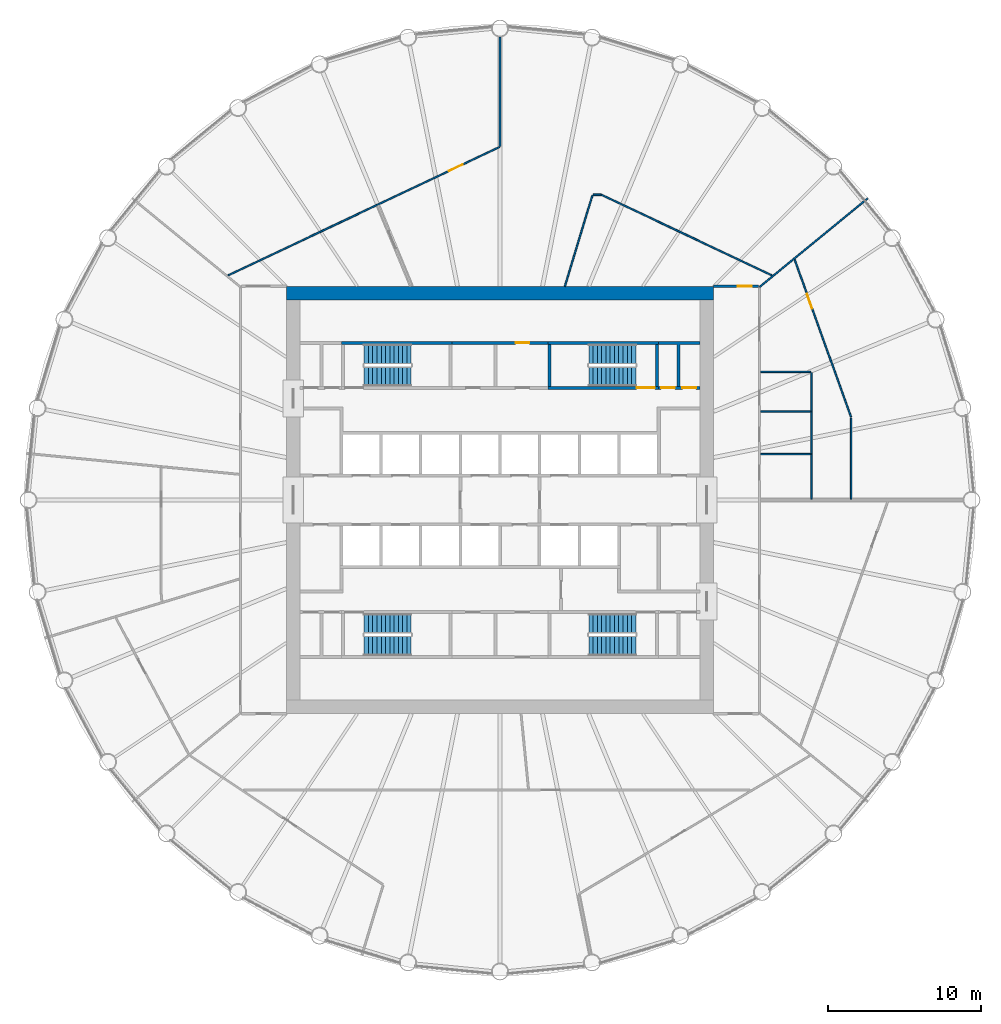
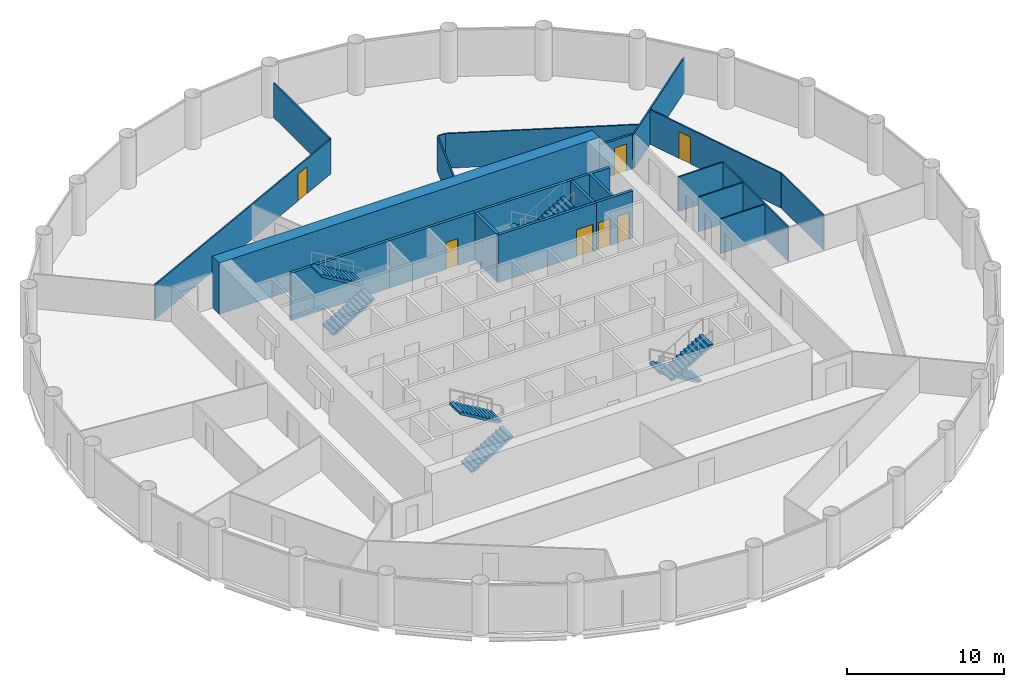
# One storey, part 7 of 8: 22 walls, 8 stair flights, 7 doors, 7 openings, 4 elements without a shape of their own.
"""IFC4 building model written with IfcOpenShell, lengths in metres."""

from ifc_helpers import new_model, si_unit, direction, frame, frame_2d, origin, place, context, subcontext, project, spatial, polyline, rectangle, outline, extrude, material, layer, layer_set, type_object, element, fill, aggregate, save


model = new_model("IFC4")

# Units and contexts
model_context = context("Model", 3, precision=1e-05, world=origin(), true_north=direction((0.0, 1.0)))
body_context = subcontext(model_context, "Body", "Model", "MODEL_VIEW")
ifc_project = project(units=[si_unit("LENGTHUNIT", "METRE"), si_unit("AREAUNIT", "SQUARE_METRE"), si_unit("VOLUMEUNIT", "CUBIC_METRE"), si_unit("PLANEANGLEUNIT", "RADIAN"), si_unit("MASSUNIT", "GRAM", prefix="KILO")], contexts=[model_context])

# Site, building, storey
site_placement = place(None, origin())
site = spatial("IfcSite", under=ifc_project, at=site_placement, CompositionType="ELEMENT")
building_placement = place(site_placement, origin())
building = spatial("IfcBuilding", under=site, at=building_placement, Name="Corvane Civic Tower", CompositionType="ELEMENT")
storey_placement = place(building_placement, frame((0.0, 0.0, 152.0)))
storey = spatial("IfcBuildingStorey", under=building, at=storey_placement, Name="L35", CompositionType="ELEMENT", Elevation=152.0)

# Wall
ifc_material_1 = material(Name="Concrete C60/75", Category="concrete")
ifc_layer_1 = layer(ifc_material_1, 0.89990234375)
ifc_layer_set_1 = layer_set([ifc_layer_1], Name="Concrete C60/75")
wall_type_1 = type_object("IfcWallType", Name="CORE WALL 900 C60/75", PredefinedType="SHEAR", material=ifc_layer_set_1)
wall_1_placement = place(storey_placement, frame((-14.0, 13.550048828125, 0.0), z_axis=(0.0, 0.0, 1.0), x_axis=(1.0, 0.0, 0.0)))
element("IfcWall", 1, at=wall_1_placement, inside=storey, type_object=wall_type_1, Name="W-L35-core-N", PredefinedType="SHEAR", context=body_context, shape_type="SweptSolid", body=[
    extrude(rectangle(XDim=28.0, YDim=0.89990234375, at=frame_2d((14.0, 0.0))), origin(), (0.0, 0.0, 1.0), 4.0),
])

# Wall, openings, doors
ifc_material_2 = material(Name="Concrete C30/37", Category="concrete")
ifc_layer_2 = layer(ifc_material_2, 0.199951171875)
ifc_layer_set_2 = layer_set([ifc_layer_2], Name="Concrete C30/37")
wall_type_2 = type_object("IfcWallType", Name="CR-WALL-200", PredefinedType="PARTITIONING", material=ifc_layer_set_2)
wall_2_placement = place(storey_placement, frame((10.39990234375, 7.35009765625, 0.0), z_axis=(0.0, 0.0, 1.0), x_axis=(1.0, 0.0, 0.0)))
wall_2 = element("IfcWall", 2, at=wall_2_placement, inside=storey, type_object=wall_type_2, Name="L35 core partition wall", PredefinedType="PARTITIONING", context=body_context, shape_type="SweptSolid", body=[
    extrude(rectangle(XDim=2.7001953125, YDim=0.199951171875, at=frame_2d((1.35009765625, 0.0))), origin(), (0.0, 0.0, 1.0), 3.699951171875),
])
opening_1_placement = place(wall_2_placement, frame((0.14990234375, 0.0, 0.0)))
opening_1 = element("IfcOpeningElement", 3, at=opening_1_placement, cuts=wall_2, Name="Opening L35.C17", PredefinedType="OPENING", context=body_context, shape_type="SweptSolid", body=[
    extrude(rectangle(XDim=0.89990234375, YDim=2.10009765625, at=frame_2d((0.449951171875, 1.050048828125))), frame((0.0, 0.10986328125, 0.0), z_axis=(0.0, -1.0, 0.0), x_axis=(1.0, 0.0, 0.0)), (0.0, 0.0, 1.0), 0.219970703125),
])
opening_2_placement = place(wall_2_placement, frame((1.550048828125, 0.0, 0.0)))
opening_2 = element("IfcOpeningElement", 4, at=opening_2_placement, cuts=wall_2, Name="Opening L35.C18", PredefinedType="OPENING", context=body_context, shape_type="SweptSolid", body=[
    extrude(rectangle(XDim=0.89990234375, YDim=2.10009765625, at=frame_2d((0.449951171875, 1.050048828125))), frame((0.0, 0.10986328125, 0.0), z_axis=(0.0, -1.0, 0.0), x_axis=(1.0, 0.0, 0.0)), (0.0, 0.0, 1.0), 0.219970703125),
])
ifc_material_3 = material(Name="Steel fire door leaf", Category="steel")
door_type_1 = type_object("IfcDoorType", Name="CR-DOOR-900", OperationType="SINGLE_SWING_LEFT", PredefinedType="DOOR", material=ifc_material_3)
door_1_placement = place(opening_1_placement, origin())
door_1 = element("IfcDoor", 5, at=door_1_placement, inside=storey, type_object=door_type_1, Name="L35 door", OperationType="SINGLE_SWING_LEFT", OverallHeight=2.10009765625, OverallWidth=0.89990234375, PredefinedType="DOOR", context=body_context, shape_type="SweptSolid", body=[
    extrude(rectangle(XDim=0.89990234375, YDim=2.10009765625, at=frame_2d((0.449951171875, 1.050048828125))), frame((0.0, 0.02490234375, 0.0), z_axis=(0.0, -1.0, 0.0), x_axis=(1.0, 0.0, 0.0)), (0.0, 0.0, 1.0), 0.050048828125),
])
fill(opening_1, door_1)
door_2_placement = place(opening_2_placement, origin())
door_2 = element("IfcDoor", 6, at=door_2_placement, inside=storey, type_object=door_type_1, Name="L35 door", OperationType="SINGLE_SWING_LEFT", OverallHeight=2.10009765625, OverallWidth=0.89990234375, PredefinedType="DOOR", context=body_context, shape_type="SweptSolid", body=[
    extrude(rectangle(XDim=0.89990234375, YDim=2.10009765625, at=frame_2d((0.449951171875, 1.050048828125))), frame((0.0, 0.02490234375, 0.0), z_axis=(0.0, -1.0, 0.0), x_axis=(1.0, 0.0, 0.0)), (0.0, 0.0, 1.0), 0.050048828125),
])
fill(opening_2, door_2)

# Wall, opening, door
wall_3_placement = place(storey_placement, frame((-3.14990234375, 10.300048828125, 0.0), z_axis=(0.0, 0.0, 1.0), x_axis=(1.0, 0.0, 0.0)))
wall_3 = element("IfcWall", 7, at=wall_3_placement, inside=storey, type_object=wall_type_2, Name="L35 partition wall", PredefinedType="PARTITIONING", context=body_context, shape_type="SweptSolid", body=[
    extrude(rectangle(XDim=6.2998046875, YDim=0.199951171875, at=frame_2d((3.14990234375, 0.0))), origin(), (0.0, 0.0, 1.0), 3.699951171875),
])
opening_3_placement = place(wall_3_placement, frame((4.175048828125, 0.0, 0.0)))
opening_3 = element("IfcOpeningElement", 8, at=opening_3_placement, cuts=wall_3, Name="Opening L35.C11", PredefinedType="OPENING", context=body_context, shape_type="SweptSolid", body=[
    extrude(rectangle(XDim=0.89990234375, YDim=2.10009765625, at=frame_2d((0.449951171875, 1.050048828125))), frame((0.0, 0.10986328125, 0.0), z_axis=(0.0, -1.0, 0.0), x_axis=(1.0, 0.0, 0.0)), (0.0, 0.0, 1.0), 0.219970703125),
])
door_3_placement = place(opening_3_placement, origin())
door_3 = element("IfcDoor", 9, at=door_3_placement, inside=storey, type_object=door_type_1, Name="L35 door", OperationType="SINGLE_SWING_LEFT", OverallHeight=2.10009765625, OverallWidth=0.89990234375, PredefinedType="DOOR", context=body_context, shape_type="SweptSolid", body=[
    extrude(rectangle(XDim=0.89990234375, YDim=2.10009765625, at=frame_2d((0.449951171875, 1.050048828125))), frame((0.0, 0.02490234375, 0.0), z_axis=(0.0, -1.0, 0.0), x_axis=(1.0, 0.0, 0.0)), (0.0, 0.0, 1.0), 0.050048828125),
])
fill(opening_3, door_3)

# Walls
wall_4_placement = place(storey_placement, origin())
element("IfcWall", 10, at=wall_4_placement, inside=storey, type_object=wall_type_2, Name="L35 core partition wall", PredefinedType="PARTITIONING", context=body_context, shape_type="SweptSolid", body=[
    extrude(outline(polyline([(13.10009765625, 10.39990234375), (13.10009765625, 10.199951171875), (11.800048828125, 10.199951171875), (11.800048828125, 7.449951171875), (11.60009765625, 7.449951171875), (11.60009765625, 10.199951171875), (10.39990234375, 10.199951171875), (10.39990234375, 10.39990234375), (13.10009765625, 10.39990234375)])), origin(), (0.0, 0.0, 1.0), 3.699951171875),
])
ifc_material_4 = material(Name="Plasterboard")
ifc_layer_3 = layer(ifc_material_4, 0.10009765625)
ifc_layer_set_3 = layer_set([ifc_layer_3], Name="Plasterboard")
wall_type_3 = type_object("IfcWallType", Name="Partition 100 plasterboard on studs", PredefinedType="PARTITIONING", material=ifc_layer_set_3)
wall_5_placement = place(storey_placement, frame((20.39990234375, 0.050048828125, 0.0), z_axis=(0.0, 0.0, 1.0), x_axis=(0.0, 1.0, 0.0)))
element("IfcWall", 11, at=wall_5_placement, inside=storey, type_object=wall_type_3, Name="Partition L35.019", PredefinedType="PARTITIONING", context=body_context, shape_type="SweptSolid", body=[
    extrude(rectangle(XDim=8.300048828125, YDim=0.10009765625, at=frame_2d((4.14990234375, 0.0))), origin(), (0.0, 0.0, 1.0), 2.699951171875),
])
wall_6_placement = place(storey_placement, frame((23.0, 0.050048828125, 0.0), z_axis=(0.0, 0.0, 1.0), x_axis=(0.0, 1.0, 0.0)))
element("IfcWall", 12, at=wall_6_placement, inside=storey, type_object=wall_type_3, Name="Partition L35.020", PredefinedType="PARTITIONING", context=body_context, shape_type="SweptSolid", body=[
    extrude(rectangle(XDim=5.30712890625, YDim=0.10009765625, at=frame_2d((2.653564453125, 0.0))), origin(), (0.0, 0.0, 1.0), 2.699951171875),
])
wall_7_placement = place(storey_placement, frame((17.074951171875, 3.0, 0.0), z_axis=(0.0, 0.0, 1.0), x_axis=(1.0, 0.0, 0.0)))
element("IfcWall", 13, at=wall_7_placement, inside=storey, type_object=wall_type_3, Name="Partition L35.022", PredefinedType="PARTITIONING", context=body_context, shape_type="SweptSolid", body=[
    extrude(rectangle(XDim=3.275146484375, YDim=0.10009765625, at=frame_2d((1.6376953125, 0.0))), origin(), (0.0, 0.0, 1.0), 2.699951171875),
])

# Wall, opening, door
wall_8_placement = place(storey_placement, frame((19.304931640625, 15.756591796875, 0.0), z_axis=(0.0, 0.0, 1.0), x_axis=(0.336896220681, -0.941541786906, 0.0)))
wall_8 = element("IfcWall", 14, at=wall_8_placement, inside=storey, type_object=wall_type_3, Name="Partition L35.023", PredefinedType="PARTITIONING", context=body_context, shape_type="SweptSolid", body=[
    extrude(rectangle(XDim=10.966552734375, YDim=0.10009765625, at=frame_2d((5.4833984375, 0.0))), origin(), (0.0, 0.0, 1.0), 2.699951171875),
])
opening_4_placement = place(wall_8_placement, frame((2.39990234375, 0.0, 0.0)))
opening_4 = element("IfcOpeningElement", 15, at=opening_4_placement, cuts=wall_8, Name="Opening L35.010", PredefinedType="OPENING", context=body_context, shape_type="SweptSolid", body=[
    extrude(rectangle(XDim=1.0, YDim=2.10009765625, at=frame_2d((0.5, 1.050048828125))), frame((0.0, 0.06005859375, 0.0), z_axis=(0.0, -1.0, 0.0), x_axis=(1.0, 0.0, 0.0)), (0.0, 0.0, 1.0), 0.1201171875),
])
ifc_material_5 = material(Name="Timber", Category="wood")
door_type_2 = type_object("IfcDoorType", Name="Single door 1000", OperationType="NOTDEFINED", PredefinedType="DOOR", material=ifc_material_5)
door_4_placement = place(opening_4_placement, origin())
door_4 = element("IfcDoor", 16, at=door_4_placement, inside=storey, type_object=door_type_2, Name="Door L35.010", OperationType="SINGLE_SWING_LEFT", OverallHeight=2.10009765625, OverallWidth=1.0, PredefinedType="DOOR", context=body_context, shape_type="SweptSolid", body=[
    extrude(rectangle(XDim=1.0, YDim=2.10009765625, at=frame_2d((0.5, 1.050048828125))), frame((0.0, 0.02490234375, 0.0), z_axis=(0.0, -1.0, 0.0), x_axis=(1.0, 0.0, 0.0)), (0.0, 0.0, 1.0), 0.050048828125),
])
fill(opening_4, door_4)

# Walls
for number, where, z_axis, x_axis, name in (
    (17, (17.074951171875, 5.800048828125, 0.0), (0.0, 0.0, 1.0), (1.0, 0.0, 0.0), "Partition L35.024"),
    (18, (17.074951171875, 8.39990234375, 0.0), (0.0, 0.0, 1.0), (1.0, 0.0, 0.0), "Partition L35.025"),
):
    element("IfcWall", number, at=place(storey_placement, frame(where, z_axis=z_axis, x_axis=x_axis)), inside=storey, type_object=wall_type_3, Name=name, PredefinedType="PARTITIONING", context=body_context, shape_type="SweptSolid", body=[
        extrude(rectangle(XDim=3.275146484375, YDim=0.10009765625, at=frame_2d((1.6376953125, 0.0))), origin(), (0.0, 0.0, 1.0), 2.699951171875),
    ])
wall_9_placement = place(storey_placement, frame((17.018310546875, 13.966552734375, 0.0), z_axis=(0.0, 0.0, 1.0), x_axis=(0.773006154143, 0.634398522742, 0.0)))
element("IfcWall", 19, at=wall_9_placement, inside=storey, type_object=wall_type_3, Name="Partition L35.027", PredefinedType="PARTITIONING", context=body_context, shape_type="SweptSolid", body=[
    extrude(rectangle(XDim=9.134521484375, YDim=0.10009765625, at=frame_2d((4.5673828125, 0.0))), origin(), (0.0, 0.0, 1.0), 2.699951171875),
])
wall_10_placement = place(storey_placement, frame((4.246826171875, 14.0, 0.0), z_axis=(0.0, 0.0, 1.0), x_axis=(0.290282423734, 0.956941019327, 0.0)))
element("IfcWall", 20, at=wall_10_placement, inside=storey, type_object=wall_type_3, Name="Partition L35.030", PredefinedType="PARTITIONING", context=body_context, shape_type="SweptSolid", body=[
    extrude(rectangle(XDim=6.23291015625, YDim=0.10009765625, at=frame_2d((3.116455078125, 0.0))), origin(), (0.0, 0.0, 1.0), 2.699951171875),
])

# Wall, opening, door
wall_11_placement = place(storey_placement, frame((-17.81640625, 14.714111328125, 0.0), z_axis=(0.0, 0.0, 1.0), x_axis=(0.903992844698, 0.427547584176, 0.0)))
wall_11 = element("IfcWall", 21, at=wall_11_placement, inside=storey, type_object=wall_type_3, Name="Partition L35.032", PredefinedType="PARTITIONING", context=body_context, shape_type="SweptSolid", body=[
    extrude(rectangle(XDim=19.677001953125, YDim=0.10009765625, at=frame_2d((9.83837890625, 0.0))), origin(), (0.0, 0.0, 1.0), 2.699951171875),
])
opening_5_placement = place(wall_11_placement, frame((16.003662109375, 0.0, 0.0)))
opening_5 = element("IfcOpeningElement", 22, at=opening_5_placement, cuts=wall_11, Name="Opening L35.001", PredefinedType="OPENING", context=body_context, shape_type="SweptSolid", body=[
    extrude(rectangle(XDim=1.0, YDim=2.10009765625, at=frame_2d((0.5, 1.050048828125))), frame((0.0, 0.06005859375, 0.0), z_axis=(0.0, -1.0, 0.0), x_axis=(1.0, 0.0, 0.0)), (0.0, 0.0, 1.0), 0.1201171875),
])
door_5_placement = place(opening_5_placement, origin())
door_5 = element("IfcDoor", 23, at=door_5_placement, inside=storey, type_object=door_type_2, Name="Door L35.001", OperationType="SINGLE_SWING_LEFT", OverallHeight=2.10009765625, OverallWidth=1.0, PredefinedType="DOOR", context=body_context, shape_type="SweptSolid", body=[
    extrude(rectangle(XDim=1.0, YDim=2.10009765625, at=frame_2d((0.5, 1.050048828125))), frame((0.0, 0.02490234375, 0.0), z_axis=(0.0, -1.0, 0.0), x_axis=(1.0, 0.0, 0.0)), (0.0, 0.0, 1.0), 0.050048828125),
])
fill(opening_5, door_5)

# Walls
wall_12_placement = place(storey_placement, frame((6.650390625, 19.9951171875, 0.0), z_axis=(0.0, 0.0, 1.0), x_axis=(0.903993242608, -0.427546742847, 0.0)))
element("IfcWall", 24, at=wall_12_placement, inside=storey, type_object=wall_type_3, Name="Partition L35.033", PredefinedType="PARTITIONING", context=body_context, shape_type="SweptSolid", body=[
    extrude(rectangle(XDim=12.351806640625, YDim=0.10009765625, at=frame_2d((6.17578125, 0.0))), origin(), (0.0, 0.0, 1.0), 2.699951171875),
])
wall_13_placement = place(storey_placement, frame((6.10400390625, 20.0, 0.0), z_axis=(0.0, 0.0, 1.0), x_axis=(1.0, 0.0, 0.0)))
element("IfcWall", 25, at=wall_13_placement, inside=storey, type_object=wall_type_3, Name="Partition L35.034", PredefinedType="PARTITIONING", context=body_context, shape_type="SweptSolid", body=[
    extrude(rectangle(XDim=0.52490234375, YDim=0.10009765625, at=frame_2d((0.262451171875, 0.0))), origin(), (0.0, 0.0, 1.0), 2.699951171875),
])
wall_14_placement = place(storey_placement, frame((0.0, 23.172119140625, 0.0), z_axis=(0.0, 0.0, 1.0), x_axis=(0.0, 1.0, 0.0)))
element("IfcWall", 26, at=wall_14_placement, inside=storey, type_object=wall_type_3, Name="Partition L35.035", PredefinedType="PARTITIONING", context=body_context, shape_type="SweptSolid", body=[
    extrude(rectangle(XDim=7.167724609375, YDim=0.10009765625, at=frame_2d((3.583984375, 0.0))), origin(), (0.0, 0.0, 1.0), 2.699951171875),
])

# Wall, opening, door
ifc_material_6 = material(Name="Concrete C50/60", Category="concrete")
ifc_layer_4 = layer(ifc_material_6, 0.199951171875)
ifc_layer_set_4 = layer_set([ifc_layer_4], Name="Concrete C50/60")
wall_type_4 = type_object("IfcWallType", Name="ST-WALL-200", PredefinedType="SHEAR", material=ifc_layer_set_4)
wall_15_placement = place(storey_placement, frame((3.14990234375, 7.35009765625, 0.0), z_axis=(0.0, 0.0, 1.0), x_axis=(1.0, 0.0, 0.0)))
wall_15 = element("IfcWall", 27, at=wall_15_placement, inside=storey, type_object=wall_type_4, Name="L35 stair enclosure wall", PredefinedType="SHEAR", context=body_context, shape_type="SweptSolid", body=[
    extrude(rectangle(XDim=7.25, YDim=0.199951171875, at=frame_2d((3.625, 0.0))), origin(), (0.0, 0.0, 1.0), 3.699951171875),
])
opening_6_placement = place(wall_15_placement, frame((5.800048828125, 0.0, 0.0)))
opening_6 = element("IfcOpeningElement", 28, at=opening_6_placement, cuts=wall_15, Name="Opening L35.C21", PredefinedType="OPENING", context=body_context, shape_type="SweptSolid", body=[
    extrude(rectangle(XDim=1.199951171875, YDim=2.10009765625, at=frame_2d((0.60009765625, 1.050048828125))), frame((0.0, 0.10986328125, 0.0), z_axis=(0.0, -1.0, 0.0), x_axis=(1.0, 0.0, 0.0)), (0.0, 0.0, 1.0), 0.219970703125),
])
ifc_material_7 = material(Name="Steel fire door leaf", Category="steel")
door_type_3 = type_object("IfcDoorType", Name="ST-DOOR-1200", OperationType="SINGLE_SWING_RIGHT", PredefinedType="DOOR", material=ifc_material_7)
door_6_placement = place(opening_6_placement, origin())
door_6 = element("IfcDoor", 29, at=door_6_placement, inside=storey, type_object=door_type_3, Name="L35 stair door", OperationType="SINGLE_SWING_RIGHT", OverallHeight=2.10009765625, OverallWidth=1.199951171875, PredefinedType="DOOR", context=body_context, shape_type="SweptSolid", body=[
    extrude(rectangle(XDim=1.199951171875, YDim=2.10009765625, at=frame_2d((0.60009765625, 1.050048828125))), frame((0.0, 0.02490234375, 0.0), z_axis=(0.0, -1.0, 0.0), x_axis=(1.0, 0.0, 0.0)), (0.0, 0.0, 1.0), 0.050048828125),
])
fill(opening_6, door_6)

# Walls
wall_16_placement = place(storey_placement, origin())
element("IfcWall", 30, at=wall_16_placement, inside=storey, type_object=wall_type_4, Name="L35 stair enclosure wall", PredefinedType="SHEAR", context=body_context, shape_type="SweptSolid", body=[
    extrude(outline(polyline([(-3.14990234375, 10.199951171875), (-10.39990234375, 10.199951171875), (-10.39990234375, 10.39990234375), (-3.14990234375, 10.39990234375), (-3.14990234375, 10.199951171875)])), origin(), (0.0, 0.0, 1.0), 3.699951171875),
])
wall_17_placement = place(storey_placement, origin())
element("IfcWall", 31, at=wall_17_placement, inside=storey, type_object=wall_type_4, Name="L35 stair enclosure wall", PredefinedType="SHEAR", context=body_context, shape_type="SweptSolid", body=[
    extrude(outline(polyline([(10.39990234375, 10.199951171875), (3.14990234375, 10.199951171875), (3.14990234375, 10.39990234375), (10.39990234375, 10.39990234375), (10.39990234375, 10.199951171875)])), origin(), (0.0, 0.0, 1.0), 3.699951171875),
])
wall_18_placement = place(storey_placement, origin())
element("IfcWall", 32, at=wall_18_placement, inside=storey, type_object=wall_type_4, Name="L35 stair enclosure wall", PredefinedType="SHEAR", context=body_context, shape_type="SweptSolid", body=[
    extrude(outline(polyline([(3.35009765625, 7.449951171875), (3.14990234375, 7.449951171875), (3.14990234375, 10.199951171875), (3.35009765625, 10.199951171875), (3.35009765625, 7.449951171875)])), origin(), (0.0, 0.0, 1.0), 3.699951171875),
])
wall_19_placement = place(storey_placement, origin())
element("IfcWall", 33, at=wall_19_placement, inside=storey, type_object=wall_type_4, Name="L35 stair enclosure wall", PredefinedType="SHEAR", context=body_context, shape_type="SweptSolid", body=[
    extrude(outline(polyline([(10.39990234375, 7.449951171875), (10.199951171875, 7.449951171875), (10.199951171875, 10.199951171875), (10.39990234375, 10.199951171875), (10.39990234375, 7.449951171875)])), origin(), (0.0, 0.0, 1.0), 3.699951171875),
])

# Wall, opening, door
ifc_material_8 = material(Name="Plasterboard")
ifc_layer_5 = layer(ifc_material_8, 0.14990234375)
ifc_layer_set_5 = layer_set([ifc_layer_5], Name="Plasterboard")
wall_type_5 = type_object("IfcWallType", Name="Tenancy wall 150 EI 60", PredefinedType="PARTITIONING", material=ifc_layer_set_5)
wall_20_placement = place(storey_placement, frame((13.989990234375, 14.0, 0.0), z_axis=(0.0, 0.0, 1.0), x_axis=(1.0, 0.0, 0.0)))
wall_20 = element("IfcWall", 34, at=wall_20_placement, inside=storey, type_object=wall_type_5, Name="Partition L35.031", PredefinedType="PARTITIONING", context=body_context, shape_type="SweptSolid", body=[
    extrude(rectangle(XDim=2.93505859375, YDim=0.14990234375, at=frame_2d((1.467529296875, 0.0))), origin(), (0.0, 0.0, 1.0), 2.699951171875),
])
opening_7_placement = place(wall_20_placement, frame((1.593994140625, 0.0, 0.0)))
opening_7 = element("IfcOpeningElement", 35, at=opening_7_placement, cuts=wall_20, Name="Opening L35.004", PredefinedType="OPENING", context=body_context, shape_type="SweptSolid", body=[
    extrude(rectangle(XDim=0.89990234375, YDim=2.10009765625, at=frame_2d((0.449951171875, 1.050048828125))), frame((0.0, 0.0849609375, 0.0), z_axis=(0.0, -1.0, 0.0), x_axis=(1.0, 0.0, 0.0)), (0.0, 0.0, 1.0), 0.169921875),
])
ifc_material_9 = material(Name="Steel and timber", Category="steel")
door_type_4 = type_object("IfcDoorType", Name="Fire door FD30S 900", OperationType="NOTDEFINED", PredefinedType="DOOR", material=ifc_material_9)
door_7_placement = place(opening_7_placement, origin())
door_7 = element("IfcDoor", 36, at=door_7_placement, inside=storey, type_object=door_type_4, Name="Door L35.004", OperationType="SINGLE_SWING_LEFT", OverallHeight=2.10009765625, OverallWidth=0.89990234375, PredefinedType="DOOR", context=body_context, shape_type="SweptSolid", body=[
    extrude(rectangle(XDim=0.89990234375, YDim=2.10009765625, at=frame_2d((0.449951171875, 1.050048828125))), frame((0.0, 0.02490234375, 0.0), z_axis=(0.0, -1.0, 0.0), x_axis=(1.0, 0.0, 0.0)), (0.0, 0.0, 1.0), 0.050048828125),
])
fill(opening_7, door_7)

# Stair, stair flights
ifc_material_10 = material(Name="Concrete C40/50", Category="concrete")
stair_type = type_object("IfcStairType", Name="ST-STAIR-HALFTURN", PredefinedType="HALF_TURN_STAIR", material=ifc_material_10)
stair_1_placement = place(storey_placement, origin())
stair_1 = element("IfcStair", 37, at=stair_1_placement, inside=storey, type_object=stair_type, Name="L35 Exit stair ST1", PredefinedType="HALF_TURN_STAIR")
ifc_material_11 = material(Name="Concrete C40/50", Category="concrete")
stair_flight_type = type_object("IfcStairFlightType", Name="ST-FLIGHT-RC", PredefinedType="STRAIGHT", material=ifc_material_11)
stair_flight_1_placement = place(storey_placement, frame((8.89990234375, 9.550048828125, 0.0), z_axis=(0.0, 0.0, 1.0), x_axis=(-1.0, 0.0, 0.0)))
stair_flight_1 = element("IfcStairFlight", 38, at=stair_flight_1_placement, type_object=stair_flight_type, Name="ST1 flight 1", NumberOfRisers=12, NumberOfTreads=11, PredefinedType="STRAIGHT", RiserHeight=0.166666667, TreadLength=0.28, context=body_context, shape_type="SweptSolid", body=[
    extrude(outline(polyline([(0.0, 0.0), (0.0, 0.166748046875), (0.280029296875, 0.166748046875), (0.280029296875, 0.333251953125), (0.56005859375, 0.333251953125), (0.56005859375, 0.5), (0.840087890625, 0.5), (0.840087890625, 0.666748046875), (1.1201171875, 0.666748046875), (1.1201171875, 0.833251953125), (1.39990234375, 0.833251953125), (1.39990234375, 1.0), (1.679931640625, 1.0), (1.679931640625, 1.166748046875), (1.9599609375, 1.166748046875), (1.9599609375, 1.333251953125), (2.239990234375, 1.333251953125), (2.239990234375, 1.5), (2.52001953125, 1.5), (2.52001953125, 1.666748046875), (2.800048828125, 1.666748046875), (2.800048828125, 1.833251953125), (3.080078125, 1.833251953125), (3.080078125, 2.0), (3.080078125, 1.658935546875), (0.29296875, 0.0), (0.0, 0.0)])), frame((0.0, 0.64990234375, 0.0), z_axis=(0.0, -1.0, 0.0), x_axis=(1.0, 0.0, 0.0)), (0.0, 0.0, 1.0), 1.300048828125),
])
stair_flight_2_placement = place(storey_placement, frame((5.820068359375, 8.10009765625, 2.0), z_axis=(0.0, 0.0, 1.0), x_axis=(1.0, 0.0, 0.0)))
stair_flight_2 = element("IfcStairFlight", 39, at=stair_flight_2_placement, type_object=stair_flight_type, Name="ST1 flight 2", NumberOfRisers=12, NumberOfTreads=11, PredefinedType="STRAIGHT", RiserHeight=0.166666667, TreadLength=0.28, context=body_context, shape_type="SweptSolid", body=[
    extrude(outline(polyline([(0.0, 0.0), (0.0, 0.166748046875), (0.280029296875, 0.166748046875), (0.280029296875, 0.333251953125), (0.56005859375, 0.333251953125), (0.56005859375, 0.5), (0.840087890625, 0.5), (0.840087890625, 0.666748046875), (1.1201171875, 0.666748046875), (1.1201171875, 0.833251953125), (1.39990234375, 0.833251953125), (1.39990234375, 1.0), (1.679931640625, 1.0), (1.679931640625, 1.166748046875), (1.9599609375, 1.166748046875), (1.9599609375, 1.333251953125), (2.239990234375, 1.333251953125), (2.239990234375, 1.5), (2.52001953125, 1.5), (2.52001953125, 1.666748046875), (2.800048828125, 1.666748046875), (2.800048828125, 1.833251953125), (3.080078125, 1.833251953125), (3.080078125, 2.0), (3.080078125, 1.658935546875), (0.29296875, 0.0), (0.0, 0.0)])), frame((0.0, 0.64990234375, 0.0), z_axis=(0.0, -1.0, 0.0), x_axis=(1.0, 0.0, 0.0)), (0.0, 0.0, 1.0), 1.300048828125),
])
aggregate(stair_1, [stair_flight_1, stair_flight_2])

stair_2_placement = place(storey_placement, origin())
stair_2 = element("IfcStair", 40, at=stair_2_placement, inside=storey, type_object=stair_type, Name="L35 Exit stair ST2", PredefinedType="HALF_TURN_STAIR")
stair_flight_3_placement = place(storey_placement, frame((8.89990234375, -8.10009765625, 0.0), z_axis=(0.0, 0.0, 1.0), x_axis=(-1.0, 0.0, 0.0)))
stair_flight_3 = element("IfcStairFlight", 41, at=stair_flight_3_placement, type_object=stair_flight_type, Name="ST2 flight 1", NumberOfRisers=12, NumberOfTreads=11, PredefinedType="STRAIGHT", RiserHeight=0.166666667, TreadLength=0.28, context=body_context, shape_type="SweptSolid", body=[
    extrude(outline(polyline([(0.0, 0.0), (0.0, 0.166748046875), (0.280029296875, 0.166748046875), (0.280029296875, 0.333251953125), (0.56005859375, 0.333251953125), (0.56005859375, 0.5), (0.840087890625, 0.5), (0.840087890625, 0.666748046875), (1.1201171875, 0.666748046875), (1.1201171875, 0.833251953125), (1.39990234375, 0.833251953125), (1.39990234375, 1.0), (1.679931640625, 1.0), (1.679931640625, 1.166748046875), (1.9599609375, 1.166748046875), (1.9599609375, 1.333251953125), (2.239990234375, 1.333251953125), (2.239990234375, 1.5), (2.52001953125, 1.5), (2.52001953125, 1.666748046875), (2.800048828125, 1.666748046875), (2.800048828125, 1.833251953125), (3.080078125, 1.833251953125), (3.080078125, 2.0), (3.080078125, 1.658935546875), (0.29296875, 0.0), (0.0, 0.0)])), frame((0.0, 0.64990234375, 0.0), z_axis=(0.0, -1.0, 0.0), x_axis=(1.0, 0.0, 0.0)), (0.0, 0.0, 1.0), 1.300048828125),
])
stair_flight_4_placement = place(storey_placement, frame((5.820068359375, -9.550048828125, 2.0), z_axis=(0.0, 0.0, 1.0), x_axis=(1.0, 0.0, 0.0)))
stair_flight_4 = element("IfcStairFlight", 42, at=stair_flight_4_placement, type_object=stair_flight_type, Name="ST2 flight 2", NumberOfRisers=12, NumberOfTreads=11, PredefinedType="STRAIGHT", RiserHeight=0.166666667, TreadLength=0.28, context=body_context, shape_type="SweptSolid", body=[
    extrude(outline(polyline([(0.0, 0.0), (0.0, 0.166748046875), (0.280029296875, 0.166748046875), (0.280029296875, 0.333251953125), (0.56005859375, 0.333251953125), (0.56005859375, 0.5), (0.840087890625, 0.5), (0.840087890625, 0.666748046875), (1.1201171875, 0.666748046875), (1.1201171875, 0.833251953125), (1.39990234375, 0.833251953125), (1.39990234375, 1.0), (1.679931640625, 1.0), (1.679931640625, 1.166748046875), (1.9599609375, 1.166748046875), (1.9599609375, 1.333251953125), (2.239990234375, 1.333251953125), (2.239990234375, 1.5), (2.52001953125, 1.5), (2.52001953125, 1.666748046875), (2.800048828125, 1.666748046875), (2.800048828125, 1.833251953125), (3.080078125, 1.833251953125), (3.080078125, 2.0), (3.080078125, 1.658935546875), (0.29296875, 0.0), (0.0, 0.0)])), frame((0.0, 0.64990234375, 0.0), z_axis=(0.0, -1.0, 0.0), x_axis=(1.0, 0.0, 0.0)), (0.0, 0.0, 1.0), 1.300048828125),
])
aggregate(stair_2, [stair_flight_3, stair_flight_4])

stair_3_placement = place(storey_placement, origin())
stair_3 = element("IfcStair", 43, at=stair_3_placement, inside=storey, type_object=stair_type, Name="L35 Exit stair ST3", PredefinedType="HALF_TURN_STAIR")
stair_flight_5_placement = place(storey_placement, frame((-8.89990234375, -9.550048828125, 0.0), z_axis=(0.0, 0.0, 1.0), x_axis=(1.0, 0.0, 0.0)))
stair_flight_5 = element("IfcStairFlight", 44, at=stair_flight_5_placement, type_object=stair_flight_type, Name="ST3 flight 1", NumberOfRisers=12, NumberOfTreads=11, PredefinedType="STRAIGHT", RiserHeight=0.166666667, TreadLength=0.28, context=body_context, shape_type="SweptSolid", body=[
    extrude(outline(polyline([(0.0, 0.0), (0.0, 0.166748046875), (0.280029296875, 0.166748046875), (0.280029296875, 0.333251953125), (0.56005859375, 0.333251953125), (0.56005859375, 0.5), (0.840087890625, 0.5), (0.840087890625, 0.666748046875), (1.1201171875, 0.666748046875), (1.1201171875, 0.833251953125), (1.39990234375, 0.833251953125), (1.39990234375, 1.0), (1.679931640625, 1.0), (1.679931640625, 1.166748046875), (1.9599609375, 1.166748046875), (1.9599609375, 1.333251953125), (2.239990234375, 1.333251953125), (2.239990234375, 1.5), (2.52001953125, 1.5), (2.52001953125, 1.666748046875), (2.800048828125, 1.666748046875), (2.800048828125, 1.833251953125), (3.080078125, 1.833251953125), (3.080078125, 2.0), (3.080078125, 1.658935546875), (0.29296875, 0.0), (0.0, 0.0)])), frame((0.0, 0.64990234375, 0.0), z_axis=(0.0, -1.0, 0.0), x_axis=(1.0, 0.0, 0.0)), (0.0, 0.0, 1.0), 1.300048828125),
])
stair_flight_6_placement = place(storey_placement, frame((-5.820068359375, -8.10009765625, 2.0), z_axis=(0.0, 0.0, 1.0), x_axis=(-1.0, 0.0, 0.0)))
stair_flight_6 = element("IfcStairFlight", 45, at=stair_flight_6_placement, type_object=stair_flight_type, Name="ST3 flight 2", NumberOfRisers=12, NumberOfTreads=11, PredefinedType="STRAIGHT", RiserHeight=0.166666667, TreadLength=0.28, context=body_context, shape_type="SweptSolid", body=[
    extrude(outline(polyline([(0.0, 0.0), (0.0, 0.166748046875), (0.280029296875, 0.166748046875), (0.280029296875, 0.333251953125), (0.56005859375, 0.333251953125), (0.56005859375, 0.5), (0.840087890625, 0.5), (0.840087890625, 0.666748046875), (1.1201171875, 0.666748046875), (1.1201171875, 0.833251953125), (1.39990234375, 0.833251953125), (1.39990234375, 1.0), (1.679931640625, 1.0), (1.679931640625, 1.166748046875), (1.9599609375, 1.166748046875), (1.9599609375, 1.333251953125), (2.239990234375, 1.333251953125), (2.239990234375, 1.5), (2.52001953125, 1.5), (2.52001953125, 1.666748046875), (2.800048828125, 1.666748046875), (2.800048828125, 1.833251953125), (3.080078125, 1.833251953125), (3.080078125, 2.0), (3.080078125, 1.658935546875), (0.29296875, 0.0), (0.0, 0.0)])), frame((0.0, 0.64990234375, 0.0), z_axis=(0.0, -1.0, 0.0), x_axis=(1.0, 0.0, 0.0)), (0.0, 0.0, 1.0), 1.300048828125),
])
aggregate(stair_3, [stair_flight_5, stair_flight_6])

stair_4_placement = place(storey_placement, origin())
stair_4 = element("IfcStair", 46, at=stair_4_placement, inside=storey, type_object=stair_type, Name="L35 Exit stair ST4", PredefinedType="HALF_TURN_STAIR")
stair_flight_7_placement = place(storey_placement, frame((-8.89990234375, 8.10009765625, 0.0), z_axis=(0.0, 0.0, 1.0), x_axis=(1.0, 0.0, 0.0)))
stair_flight_7 = element("IfcStairFlight", 47, at=stair_flight_7_placement, type_object=stair_flight_type, Name="ST4 flight 1", NumberOfRisers=12, NumberOfTreads=11, PredefinedType="STRAIGHT", RiserHeight=0.166666667, TreadLength=0.28, context=body_context, shape_type="SweptSolid", body=[
    extrude(outline(polyline([(0.0, 0.0), (0.0, 0.166748046875), (0.280029296875, 0.166748046875), (0.280029296875, 0.333251953125), (0.56005859375, 0.333251953125), (0.56005859375, 0.5), (0.840087890625, 0.5), (0.840087890625, 0.666748046875), (1.1201171875, 0.666748046875), (1.1201171875, 0.833251953125), (1.39990234375, 0.833251953125), (1.39990234375, 1.0), (1.679931640625, 1.0), (1.679931640625, 1.166748046875), (1.9599609375, 1.166748046875), (1.9599609375, 1.333251953125), (2.239990234375, 1.333251953125), (2.239990234375, 1.5), (2.52001953125, 1.5), (2.52001953125, 1.666748046875), (2.800048828125, 1.666748046875), (2.800048828125, 1.833251953125), (3.080078125, 1.833251953125), (3.080078125, 2.0), (3.080078125, 1.658935546875), (0.29296875, 0.0), (0.0, 0.0)])), frame((0.0, 0.64990234375, 0.0), z_axis=(0.0, -1.0, 0.0), x_axis=(1.0, 0.0, 0.0)), (0.0, 0.0, 1.0), 1.300048828125),
])
stair_flight_8_placement = place(storey_placement, frame((-5.820068359375, 9.550048828125, 2.0), z_axis=(0.0, 0.0, 1.0), x_axis=(-1.0, 0.0, 0.0)))
stair_flight_8 = element("IfcStairFlight", 48, at=stair_flight_8_placement, type_object=stair_flight_type, Name="ST4 flight 2", NumberOfRisers=12, NumberOfTreads=11, PredefinedType="STRAIGHT", RiserHeight=0.166666667, TreadLength=0.28, context=body_context, shape_type="SweptSolid", body=[
    extrude(outline(polyline([(0.0, 0.0), (0.0, 0.166748046875), (0.280029296875, 0.166748046875), (0.280029296875, 0.333251953125), (0.56005859375, 0.333251953125), (0.56005859375, 0.5), (0.840087890625, 0.5), (0.840087890625, 0.666748046875), (1.1201171875, 0.666748046875), (1.1201171875, 0.833251953125), (1.39990234375, 0.833251953125), (1.39990234375, 1.0), (1.679931640625, 1.0), (1.679931640625, 1.166748046875), (1.9599609375, 1.166748046875), (1.9599609375, 1.333251953125), (2.239990234375, 1.333251953125), (2.239990234375, 1.5), (2.52001953125, 1.5), (2.52001953125, 1.666748046875), (2.800048828125, 1.666748046875), (2.800048828125, 1.833251953125), (3.080078125, 1.833251953125), (3.080078125, 2.0), (3.080078125, 1.658935546875), (0.29296875, 0.0), (0.0, 0.0)])), frame((0.0, 0.64990234375, 0.0), z_axis=(0.0, -1.0, 0.0), x_axis=(1.0, 0.0, 0.0)), (0.0, 0.0, 1.0), 1.300048828125),
])
aggregate(stair_4, [stair_flight_7, stair_flight_8])

save(model, "model.ifc")
